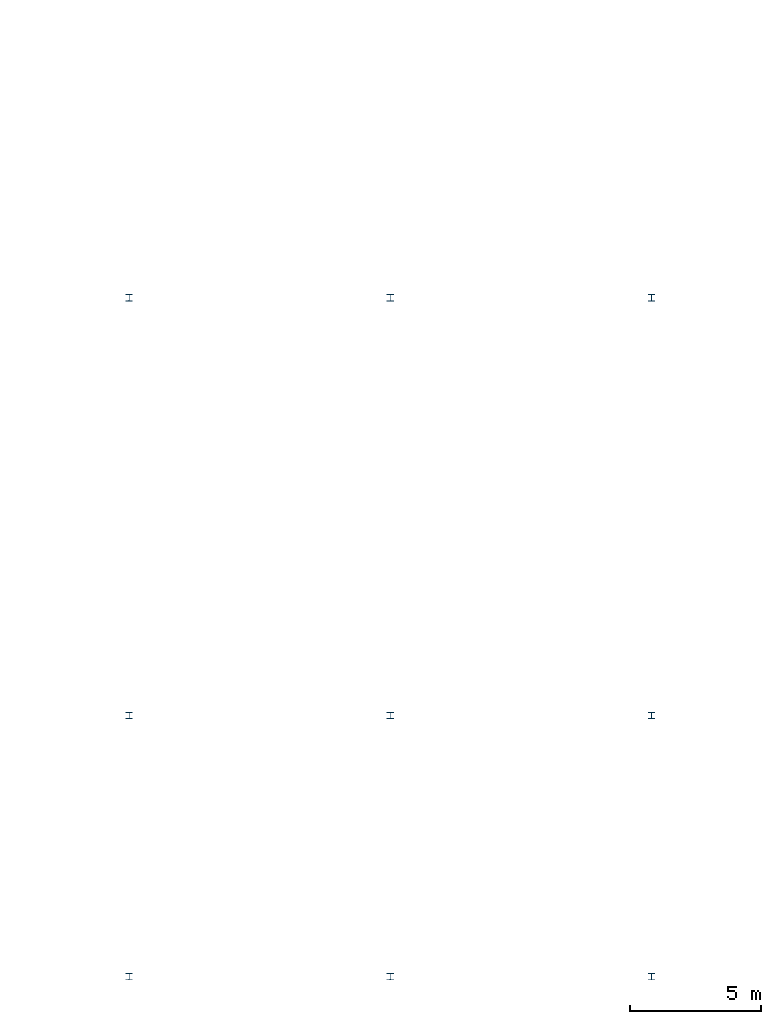
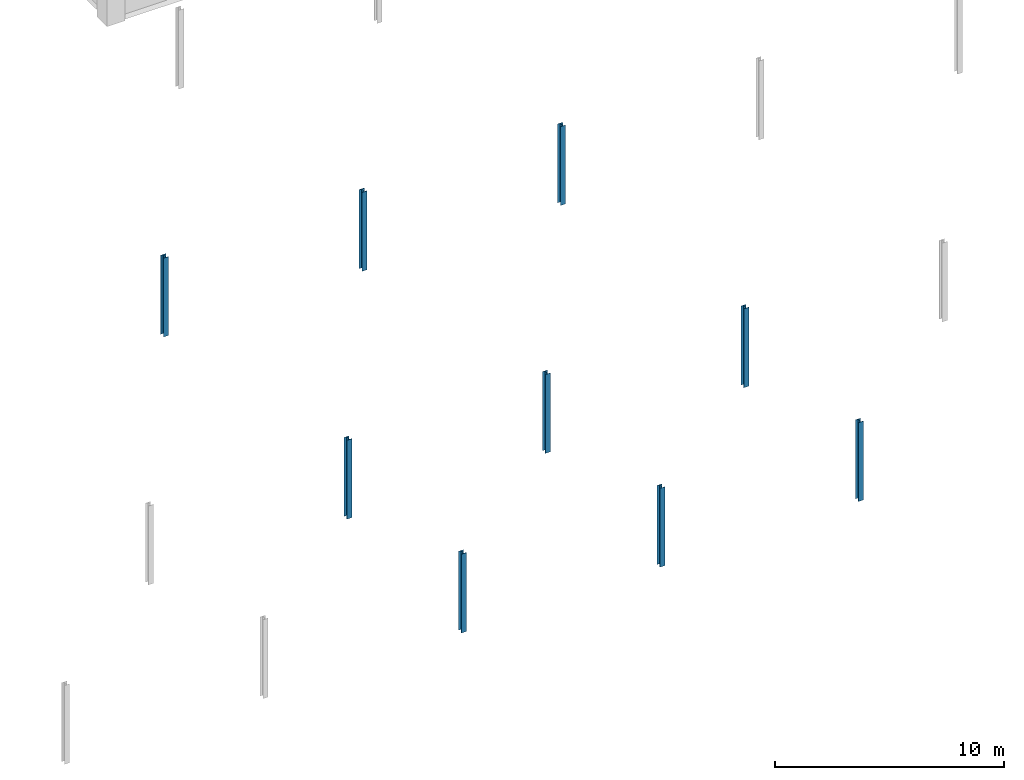
# One storey, part 7 of 100: 9 columns.
"""IFC4 building model written with IfcOpenShell, lengths in metres."""

import ifcopenshell
import ifcopenshell.guid

model = None  # the IFC model being written
_history = None  # IfcOwnerHistory: only IFC2X3 demands one
_inside = {}  # id of a spatial element -> (the spatial element, [elements in it])
_under = {}  # id of a project, library or spatial element -> (it, [spatial elements below it])
_declared = {}  # id of a project -> (the project, [libraries it declares])
_typed = {}  # id of a type object -> (the type object, [elements of that type])
_made_of = {}  # id of a material, layer set ... -> (it, [elements and type objects made of it])


def new_model(schema):
    """Start an empty IFC model of exactly this schema.

    Asked for "IFC4X3", IfcOpenShell would pick the latest addendum, in which some entities
    have other attributes; the version numbers below select the first issue.
    IFC2X3 requires an IfcOwnerHistory on every rooted entity: one is made here for all.
    """
    global model, _history
    if schema == "IFC4X3":
        model = ifcopenshell.file(schema_version=(4, 3, 0, 0))
    else:
        model = ifcopenshell.file(schema=schema)
    _inside.clear()
    _under.clear()
    _declared.clear()
    _typed.clear()
    _made_of.clear()
    _history = None
    if model.schema == "IFC2X3":
        org = make("IfcOrganization", Name="unknown")
        user = make(
            "IfcPersonAndOrganization",
            ThePerson=make("IfcPerson", FamilyName="unknown"),
            TheOrganization=org,
        )
        app = make(
            "IfcApplication",
            ApplicationDeveloper=org,
            Version="unknown",
            ApplicationFullName="unknown",
            ApplicationIdentifier="unknown",
        )
        _history = make(
            "IfcOwnerHistory",
            OwningUser=user,
            OwningApplication=app,
            ChangeAction="ADDED",
            CreationDate=0,
        )
    return model


def make(cls, **values):
    """One entity of the class cls with the attributes given. An attribute that is None is left unset."""
    return model.create_entity(
        cls, **{name: value for name, value in values.items() if value is not None}
    )


def rooted(cls, **values):
    """An entity with a GlobalId (a new one), such as an element, a storey or a relation."""
    return make(cls, GlobalId=ifcopenshell.guid.new(), OwnerHistory=_history, **values)


def si_unit(unit_type, name, prefix=None):
    """IfcSIUnit, for example si_unit("LENGTHUNIT", "METRE", prefix="MILLI")."""
    return make("IfcSIUnit", UnitType=unit_type, Prefix=prefix, Name=name)


def assignment(units):
    """IfcUnitAssignment: the units of a project."""
    return None if units is None else make("IfcUnitAssignment", Units=units)


def point(xyz):
    """IfcCartesianPoint."""
    return None if xyz is None else make("IfcCartesianPoint", Coordinates=xyz)


def direction(xyz):
    """IfcDirection."""
    return None if xyz is None else make("IfcDirection", DirectionRatios=xyz)


def frame(location, z_axis=None, x_axis=None):
    """IfcAxis2Placement3D, a coordinate frame: its origin and axes. An axis left out is left unset."""
    return make(
        "IfcAxis2Placement3D",
        Location=point(location),
        Axis=direction(z_axis),
        RefDirection=direction(x_axis),
    )


def frame_2d(location, x_axis=None):
    """IfcAxis2Placement2D, a coordinate frame in the plane: its origin and x axis."""
    return make(
        "IfcAxis2Placement2D", Location=point(location), RefDirection=direction(x_axis)
    )


def origin():
    """The frame at (0, 0, 0) with its axes left unset."""
    return frame((0.0, 0.0, 0.0))


def origin_2d():
    """The frame at (0, 0) in the plane with its x axis left unset."""
    return frame_2d((0.0, 0.0))


def place(relative_to, where):
    """IfcLocalPlacement: puts the frame where relative to a parent placement (None: the world)."""
    return make(
        "IfcLocalPlacement", PlacementRelTo=relative_to, RelativePlacement=where
    )


def context(
    kind, dimensions, precision=None, world=None, true_north=None, identifier=None
):
    """IfcGeometricRepresentationContext, for example the 3D "Model" context."""
    return make(
        "IfcGeometricRepresentationContext",
        ContextIdentifier=identifier,
        ContextType=kind,
        CoordinateSpaceDimension=dimensions,
        Precision=precision,
        WorldCoordinateSystem=world,
        TrueNorth=true_north,
    )


def subcontext(parent, identifier, kind, view, scale=None):
    """IfcGeometricRepresentationSubContext, for example "Body" below "Model"."""
    return make(
        "IfcGeometricRepresentationSubContext",
        ContextIdentifier=identifier,
        ContextType=kind,
        ParentContext=parent,
        TargetScale=scale,
        TargetView=view,
    )


def project(units=None, contexts=None):
    """IfcProject with its units and contexts."""
    return rooted(
        "IfcProject",
        Name="project",
        RepresentationContexts=contexts,
        UnitsInContext=assignment(units),
    )


def spatial(cls, under=None, at=None, **own):
    """A site, building, storey or space (cls), placed at a placement, below another one or the project."""
    s = rooted(cls, ObjectPlacement=at, **own)
    if under is not None:
        _under.setdefault(under.id(), (under, []))[1].append(s)
    return s


def profile(cls, at=None, kind="AREA", **sizes):
    """A parametric profile (cls). Its sizes go by their IFC names, for example OverallWidth=200.0."""
    return make(cls, ProfileType=kind, Position=at, **sizes)


def i_section(**sizes):
    """IfcIShapeProfileDef."""
    return profile("IfcIShapeProfileDef", **sizes)


def extrude(swept, where, along, depth):
    """IfcExtrudedAreaSolid: the profile swept, set in the frame where, extruded along a direction by depth."""
    return make(
        "IfcExtrudedAreaSolid",
        SweptArea=swept,
        Position=where,
        ExtrudedDirection=direction(along),
        Depth=depth,
    )


def shape(context_of_items, identifier, shape_type, items):
    """IfcShapeRepresentation: the items that make up one representation, for example the "Body"."""
    return make(
        "IfcShapeRepresentation",
        ContextOfItems=context_of_items,
        RepresentationIdentifier=identifier,
        RepresentationType=shape_type,
        Items=items,
    )


def material(Name=None, Category=None):
    """IfcMaterial."""
    return make("IfcMaterial", Name=Name, Category=Category)


def material_profile(
    of_material, cross_section, Name=None, Category=None, Priority=None
):
    """IfcMaterialProfile: a cross section and its material."""
    return make(
        "IfcMaterialProfile",
        Name=Name,
        Material=of_material,
        Profile=cross_section,
        Priority=Priority,
        Category=Category,
    )


def profile_set(profiles, Name=None, composite=None):
    """IfcMaterialProfileSet."""
    return make(
        "IfcMaterialProfileSet",
        Name=Name,
        MaterialProfiles=profiles,
        CompositeProfile=composite,
    )


def made_of(thing, what):
    """Note that an element or type object is made of a material, layer set ...; save() writes the relation."""
    if what is not None:
        _made_of.setdefault(what.id(), (what, []))[1].append(thing)
    return thing


def type_object(cls, material=None, **own):
    """A type object (cls), such as IfcWallType, which elements share."""
    return made_of(rooted(cls, **own), material)


def element(
    cls,
    number,
    at=None,
    inside=None,
    cuts=None,
    type_object=None,
    material=None,
    context=None,
    identifier="Body",
    shape_type=None,
    held_by="IfcProductDefinitionShape",
    body=None,
    shapes=None,
    **own,
):
    """One element of the class cls, such as IfcWall. Its Tag is "e" and its number.

    at: its placement. inside: the storey or other place that contains it. cuts: it is an
    opening in that element (IfcRelVoidsElement). A single representation is given by context,
    identifier, shape_type and body (its items); several are given by shapes. held_by: the class
    of the entity that holds the representations. save() writes the other relations.
    """
    e = rooted(cls, Tag="e%d" % number, ObjectPlacement=at, **own)
    if body is not None:
        shapes = [shape(context, identifier, shape_type, body)]
    if shapes is not None:
        e.Representation = make(held_by, Representations=shapes)
    if inside is not None:
        _inside.setdefault(inside.id(), (inside, []))[1].append(e)
    if cuts is not None:
        rooted(
            "IfcRelVoidsElement", RelatingBuildingElement=cuts, RelatedOpeningElement=e
        )
    if type_object is not None:
        _typed.setdefault(type_object.id(), (type_object, []))[1].append(e)
    return made_of(e, material)


def aggregate(whole, parts):
    """IfcRelAggregates: a whole, such as a stair, and the parts it consists of."""
    return rooted("IfcRelAggregates", RelatingObject=whole, RelatedObjects=parts)


def save(model, path):
    """Write the relations noted so far, then the file.

    IfcRelAggregates (storeys below a building ...), IfcRelContainedInSpatialStructure (elements
    in a storey), IfcRelDefinesByType, IfcRelAssociatesMaterial and IfcRelDeclares: one each for
    every whole, place, type object, material and project.
    """
    for whole, parts in _under.values():
        aggregate(whole, parts)
    for where, things in _inside.values():
        rooted(
            "IfcRelContainedInSpatialStructure",
            RelatedElements=things,
            RelatingStructure=where,
        )
    for kind, things in _typed.values():
        rooted("IfcRelDefinesByType", RelatedObjects=things, RelatingType=kind)
    for what, things in _made_of.values():
        rooted("IfcRelAssociatesMaterial", RelatedObjects=things, RelatingMaterial=what)
    for by, libraries in _declared.values():
        rooted("IfcRelDeclares", RelatingContext=by, RelatedDefinitions=libraries)
    model.write(path)


model = new_model("IFC4")

# Units and contexts
model_context = context("Model", 3, precision=1e-05, world=origin(), true_north=direction((0.0, 1.0)))
body_context = subcontext(model_context, "Body", "Model", "MODEL_VIEW")
ifc_project = project(units=[si_unit("LENGTHUNIT", "METRE"), si_unit("AREAUNIT", "SQUARE_METRE"), si_unit("VOLUMEUNIT", "CUBIC_METRE"), si_unit("PLANEANGLEUNIT", "RADIAN"), si_unit("MASSUNIT", "GRAM", prefix="KILO")], contexts=[model_context])

# Site, building, storey
site_placement = place(None, origin())
site = spatial("IfcSite", under=ifc_project, at=site_placement, CompositionType="ELEMENT")
building_placement = place(site_placement, origin())
building = spatial("IfcBuilding", under=site, at=building_placement, Name="Kivolera Central Railway Station", CompositionType="ELEMENT")
storey_placement = place(building_placement, frame((0.0, 0.0, 5.39990234375)))
storey = spatial("IfcBuildingStorey", under=building, at=storey_placement, Name="L01", CompositionType="ELEMENT", Elevation=5.39990234375)

# Columns
ifc_material = material(Name="Steel S355", Category="steel")
ifc_material_profile = material_profile(ifc_material, i_section(OverallWidth=0.25634765625, OverallDepth=0.26025390625, WebThickness=0.01025390625, FlangeThickness=0.017333984375, FilletRadius=0.0126953125, at=origin_2d()), Name="UC 254x254x89")
ifc_profile_set = profile_set([ifc_material_profile], Name="Steel S355")
column_type = type_object("IfcColumnType", Name="COL-STL-UC254", PredefinedType="COLUMN", material=ifc_profile_set)
for number, where, z_axis, x_axis, name in (
    (1, (108.0, 6.0, 0.0), (0.0, 0.0, 1.0), (1.0, 0.0, 0.0), "L01 Train Shed Column 11-A"),
    (2, (108.0, 16.0, 0.0), (0.0, 0.0, 1.0), (1.0, 0.0, 0.0), "L01 Train Shed Column 11-B"),
    (3, (108.0, 32.0, 0.0), (0.0, 0.0, 1.0), (1.0, 0.0, 0.0), "L01 Train Shed Column 11-C"),
    (4, (118.0, 6.0, 0.0), (0.0, 0.0, 1.0), (1.0, 0.0, 0.0), "L01 Train Shed Column 12-A"),
    (5, (118.0, 16.0, 0.0), (0.0, 0.0, 1.0), (1.0, 0.0, 0.0), "L01 Train Shed Column 12-B"),
    (6, (118.0, 32.0, 0.0), (0.0, 0.0, 1.0), (1.0, 0.0, 0.0), "L01 Train Shed Column 12-C"),
    (7, (128.0, 6.0, 0.0), (0.0, 0.0, 1.0), (1.0, 0.0, 0.0), "L01 Train Shed Column 13-A"),
    (8, (128.0, 16.0, 0.0), (0.0, 0.0, 1.0), (1.0, 0.0, 0.0), "L01 Train Shed Column 13-B"),
    (9, (128.0, 32.0, 0.0), (0.0, 0.0, 1.0), (1.0, 0.0, 0.0), "L01 Train Shed Column 13-C"),
):
    element("IfcColumn", number, at=place(storey_placement, frame(where, z_axis=z_axis, x_axis=x_axis)), inside=storey, type_object=column_type, Name=name, PredefinedType="COLUMN", context=body_context, shape_type="SweptSolid", body=[
        extrude(i_section(OverallWidth=0.25634765625, OverallDepth=0.26025390625, WebThickness=0.01025390625, FlangeThickness=0.017333984375, FilletRadius=0.0126953125, at=origin_2d()), origin(), (0.0, 0.0, 1.0), 4.2001953125),
    ])

save(model, "model.ifc")
